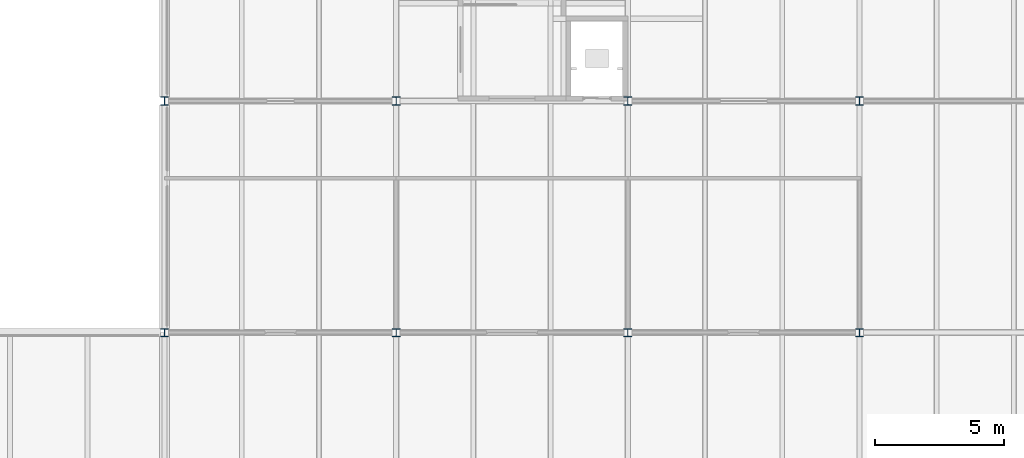
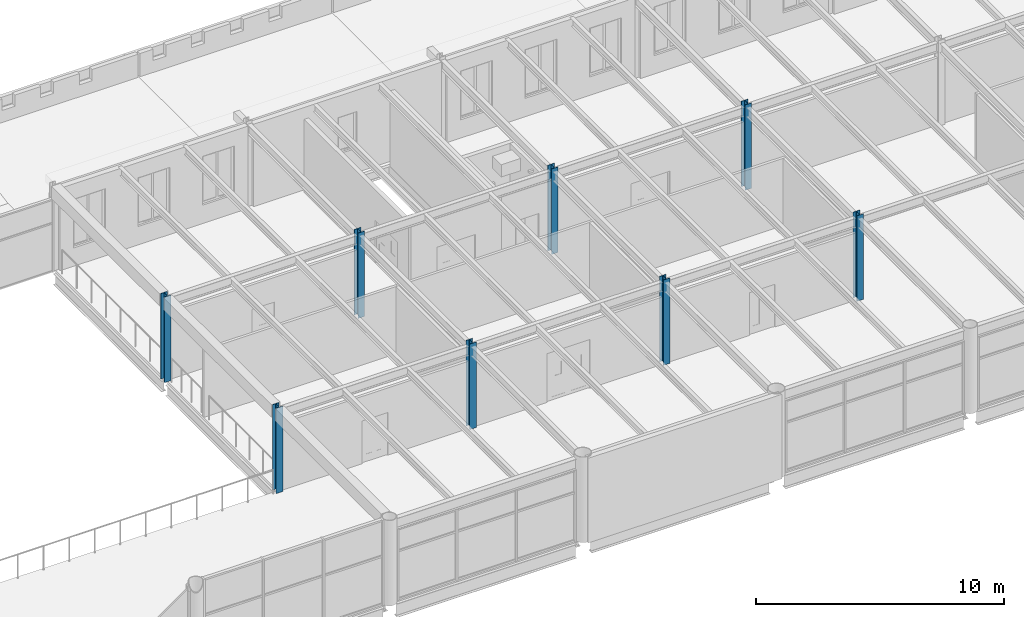
# One storey, part 16 of 123: 8 columns.
"""IFC4 building model written with IfcOpenShell, lengths in metres."""

from ifc_helpers import new_model, si_unit, direction, frame, origin, origin_2d, place, context, subcontext, project, spatial, i_section, extrude, material, material_profile, profile_set, type_object, element, save


model = new_model("IFC4")

# Units and contexts
model_context = context("Model", 3, precision=1e-05, world=origin(), true_north=direction((0.0, 1.0)))
body_context = subcontext(model_context, "Body", "Model", "MODEL_VIEW")
ifc_project = project(units=[si_unit("LENGTHUNIT", "METRE"), si_unit("AREAUNIT", "SQUARE_METRE"), si_unit("VOLUMEUNIT", "CUBIC_METRE"), si_unit("PLANEANGLEUNIT", "RADIAN"), si_unit("MASSUNIT", "GRAM", prefix="KILO")], contexts=[model_context])

# Site, building, storey
site_placement = place(None, origin())
site = spatial("IfcSite", under=ifc_project, at=site_placement, CompositionType="ELEMENT")
building_placement = place(site_placement, origin())
building = spatial("IfcBuilding", under=site, at=building_placement, Name="Baradari Gate Terminus", CompositionType="ELEMENT")
storey_placement = place(building_placement, frame((0.0, 0.0, 7.5)))
storey = spatial("IfcBuildingStorey", under=building, at=storey_placement, Name="L01", CompositionType="ELEMENT", Elevation=7.5)

# Columns
ifc_material = material(Name="Steel S355", Category="steel")
ifc_material_profile = material_profile(ifc_material, i_section(OverallWidth=0.307373046875, OverallDepth=0.314453125, WebThickness=0.011962890625, FlangeThickness=0.018798828125, FilletRadius=0.01513671875, at=origin_2d()), Name="UC 305x305x118")
ifc_profile_set = profile_set([ifc_material_profile], Name="Steel S355")
column_type = type_object("IfcColumnType", Name="Head-house column C07 UC 305x305x118", PredefinedType="COLUMN", material=ifc_profile_set)
for number, where, z_axis, x_axis, name in (
    (1, (171.0, 90.0, 0.0), (0.0, 0.0, 1.0), (1.0, 0.0, 0.0), "C07 column 20-L L01"),
    (2, (171.0, 99.0, 0.0), (0.0, 0.0, 1.0), (1.0, 0.0, 0.0), "C07 column 20-M L01"),
    (3, (180.0, 90.0, 0.0), (0.0, 0.0, 1.0), (1.0, 0.0, 0.0), "C07 column 21-L L01"),
    (4, (180.0, 99.0, 0.0), (0.0, 0.0, 1.0), (1.0, 0.0, 0.0), "C07 column 21-M L01"),
    (5, (189.0, 90.0, 0.0), (0.0, 0.0, 1.0), (1.0, 0.0, 0.0), "C07 column 22-L L01"),
    (6, (189.0, 99.0, 0.0), (0.0, 0.0, 1.0), (1.0, 0.0, 0.0), "C07 column 22-M L01"),
    (7, (198.0, 90.0, 0.0), (0.0, 0.0, 1.0), (1.0, 0.0, 0.0), "C07 column 23-L L01"),
    (8, (198.0, 99.0, 0.0), (0.0, 0.0, 1.0), (1.0, 0.0, 0.0), "C07 column 23-M L01"),
):
    element("IfcColumn", number, at=place(storey_placement, frame(where, z_axis=z_axis, x_axis=x_axis)), inside=storey, type_object=column_type, Name=name, PredefinedType="COLUMN", context=body_context, shape_type="SweptSolid", body=[
        extrude(i_section(OverallWidth=0.307373046875, OverallDepth=0.314453125, WebThickness=0.011962890625, FlangeThickness=0.018798828125, FilletRadius=0.01513671875, at=origin_2d()), origin(), (0.0, 0.0, 1.0), 4.199951171875),
    ])

save(model, "model.ifc")
